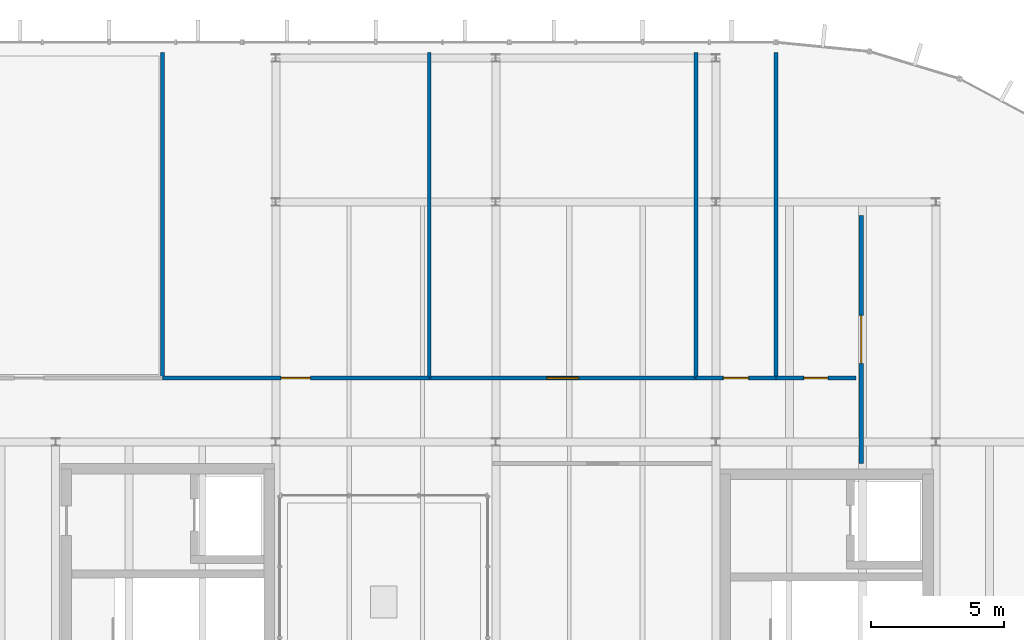
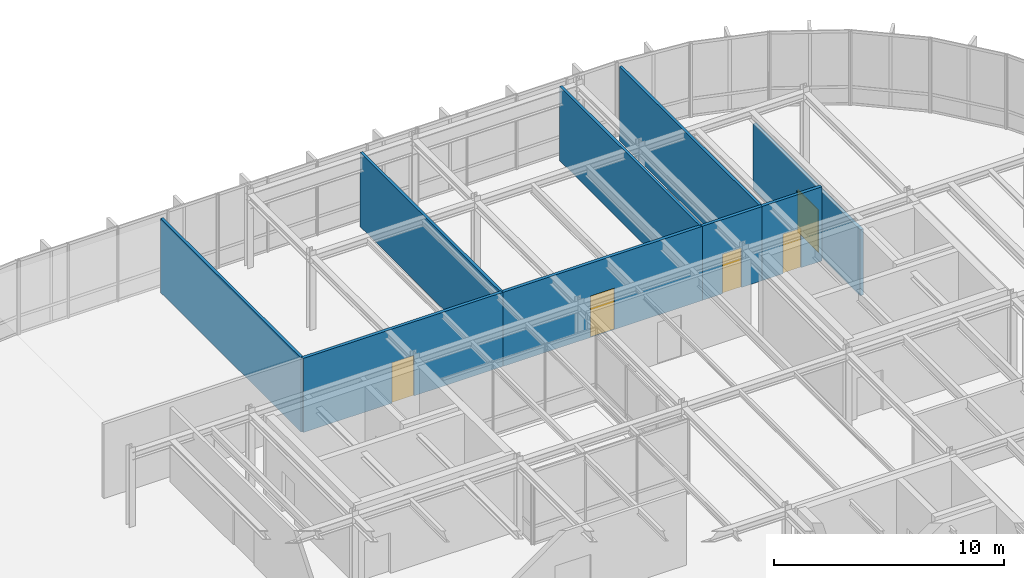
# One storey, part 20 of 21: 9 walls, 5 doors, 5 openings.
"""IFC4 building model written with IfcOpenShell, lengths in metres."""

from ifc_helpers import new_model, si_unit, direction, frame, frame_2d, origin, place, context, subcontext, project, spatial, rectangle, extrude, material, layer, layer_set, type_object, element, fill, save


model = new_model("IFC4")

# Units and contexts
model_context = context("Model", 3, precision=1e-05, world=origin(), true_north=direction((0.0, 1.0)))
body_context = subcontext(model_context, "Body", "Model", "MODEL_VIEW")
ifc_project = project(units=[si_unit("LENGTHUNIT", "METRE"), si_unit("AREAUNIT", "SQUARE_METRE"), si_unit("VOLUMEUNIT", "CUBIC_METRE"), si_unit("PLANEANGLEUNIT", "RADIAN"), si_unit("MASSUNIT", "GRAM", prefix="KILO")], contexts=[model_context])

# Site, building, storey
site_placement = place(None, origin())
site = spatial("IfcSite", under=ifc_project, at=site_placement, CompositionType="ELEMENT")
building_placement = place(site_placement, origin())
building = spatial("IfcBuilding", under=site, at=building_placement, Name="Montealbar Specialist Clinic", CompositionType="ELEMENT")
storey_placement = place(building_placement, frame((0.0, 0.0, 26.39990234375)))
storey = spatial("IfcBuildingStorey", under=building, at=storey_placement, Name="L06", CompositionType="ELEMENT", Elevation=26.39990234375)

# Walls
ifc_material_1 = material(Name="Gypsum acoustic partition", Category="gypsum")
ifc_layer_1 = layer(ifc_material_1, 0.139892578125, Name="Gypsum acoustic partition", Category="gypsum")
ifc_layer_set_1 = layer_set([ifc_layer_1], Name="Gypsum acoustic partition")
wall_type_1 = type_object("IfcWallType", Name="WL-PART-ACOUSTIC-140", PredefinedType="PARTITIONING", material=ifc_layer_set_1)
for number, where, z_axis, x_axis, name in (
    (1, (70.0, 38.39990234375, 0.0), (0.0, 0.0, 1.0), (0.0, 1.0, 0.0), "Clinical Partition PART-L06-0245"),
    (2, (80.0, 38.39990234375, 0.0), (0.0, 0.0, 1.0), (0.0, 1.0, 0.0), "Clinical Partition PART-L06-0247"),
    (3, (90.0, 38.39990234375, 0.0), (0.0, 0.0, 1.0), (0.0, 1.0, 0.0), "Clinical Partition PART-L06-0249"),
    (4, (93.0, 38.39990234375, 0.0), (0.0, 0.0, 1.0), (0.0, 1.0, 0.0), "Clinical Partition PART-L06-0251"),
):
    element("IfcWall", number, at=place(storey_placement, frame(where, z_axis=z_axis, x_axis=x_axis)), inside=storey, type_object=wall_type_1, Name=name, PredefinedType="PARTITIONING", context=body_context, shape_type="SweptSolid", body=[
        extrude(rectangle(XDim=12.2001953125, YDim=0.139892578125, at=frame_2d((6.10009765625, 0.0))), origin(), (0.0, 0.0, 1.0), 3.93017578125),
    ])

# Wall, opening, door
ifc_layer_2 = layer(ifc_material_1, 0.159912109375, Name="Gypsum acoustic partition", Category="gypsum")
ifc_layer_set_2 = layer_set([ifc_layer_2], Name="Gypsum acoustic partition")
wall_type_2 = type_object("IfcWallType", Name="WL-PART-CLINIC-160", PredefinedType="PARTITIONING", material=ifc_layer_set_2)
wall_1_placement = place(storey_placement, frame((70.0, 38.39990234375, 0.0), z_axis=(0.0, 0.0, 1.0), x_axis=(1.0, 0.0, 0.0)))
wall_1 = element("IfcWall", 5, at=wall_1_placement, inside=storey, type_object=wall_type_2, Name="Clinical Partition PART-L06-0246", PredefinedType="PARTITIONING", context=body_context, shape_type="SweptSolid", body=[
    extrude(rectangle(XDim=10.0, YDim=0.159912109375, at=frame_2d((5.0, 0.0))), origin(), (0.0, 0.0, 1.0), 3.93017578125),
])
opening_1_placement = place(wall_1_placement, frame((4.449951171875, 0.0, 0.0)))
opening_1 = element("IfcOpeningElement", 6, at=opening_1_placement, cuts=wall_1, Name="Opening ID-110", PredefinedType="OPENING", context=body_context, shape_type="SweptSolid", body=[
    extrude(rectangle(XDim=1.10009765625, YDim=2.14990234375, at=frame_2d((0.550048828125, 1.074951171875))), frame((0.0, 0.08984375, 0.0), z_axis=(0.0, -1.0, 0.0), x_axis=(1.0, 0.0, 0.0)), (0.0, 0.0, 1.0), 0.179931640625),
])
ifc_material_2 = material(Name="Acoustic timber leaf", Category="wood")
door_type_1 = type_object("IfcDoorType", Name="DR-CLIN-W1100", OperationType="NOTDEFINED", PredefinedType="DOOR", material=ifc_material_2)
door_1_placement = place(opening_1_placement, frame((1.10009765625, 0.0, 0.0), z_axis=(0.0, 0.0, 1.0), x_axis=(-1.0, 0.0, 0.0)))
door_1 = element("IfcDoor", 7, at=door_1_placement, inside=storey, type_object=door_type_1, Name="Clinical Room Door IDR-L06-0159", OperationType="SINGLE_SWING_LEFT", OverallHeight=2.14990234375, OverallWidth=1.10009765625, PredefinedType="DOOR", context=body_context, shape_type="SweptSolid", body=[
    extrude(rectangle(XDim=1.10009765625, YDim=2.14990234375, at=frame_2d((0.550048828125, 1.074951171875))), frame((0.0, 0.02490234375, 0.0), z_axis=(0.0, -1.0, 0.0), x_axis=(1.0, 0.0, 0.0)), (0.0, 0.0, 1.0), 0.050048828125),
])
fill(opening_1, door_1)

wall_2_placement = place(storey_placement, frame((80.0, 38.39990234375, 0.0), z_axis=(0.0, 0.0, 1.0), x_axis=(1.0, 0.0, 0.0)))
wall_2 = element("IfcWall", 8, at=wall_2_placement, inside=storey, type_object=wall_type_2, Name="Clinical Partition PART-L06-0248", PredefinedType="PARTITIONING", context=body_context, shape_type="SweptSolid", body=[
    extrude(rectangle(XDim=10.0, YDim=0.159912109375, at=frame_2d((5.0, 0.0))), origin(), (0.0, 0.0, 1.0), 3.93017578125),
])
opening_2_placement = place(wall_2_placement, frame((4.39990234375, 0.0, 0.0)))
opening_2 = element("IfcOpeningElement", 9, at=opening_2_placement, cuts=wall_2, Name="Opening ID-120", PredefinedType="OPENING", context=body_context, shape_type="SweptSolid", body=[
    extrude(rectangle(XDim=1.199951171875, YDim=2.199951171875, at=frame_2d((0.60009765625, 1.10009765625))), frame((0.0, 0.08984375, 0.0), z_axis=(0.0, -1.0, 0.0), x_axis=(1.0, 0.0, 0.0)), (0.0, 0.0, 1.0), 0.179931640625),
])
door_type_2 = type_object("IfcDoorType", Name="DR-CLIN-W1200", OperationType="NOTDEFINED", PredefinedType="DOOR", material=ifc_material_2)
door_2_placement = place(opening_2_placement, frame((1.199951171875, 0.0, 0.0), z_axis=(0.0, 0.0, 1.0), x_axis=(-1.0, 0.0, 0.0)))
door_2 = element("IfcDoor", 10, at=door_2_placement, inside=storey, type_object=door_type_2, Name="Clinical Room Door IDR-L06-0160", OperationType="SINGLE_SWING_RIGHT", OverallHeight=2.199951171875, OverallWidth=1.199951171875, PredefinedType="DOOR", context=body_context, shape_type="SweptSolid", body=[
    extrude(rectangle(XDim=1.199951171875, YDim=2.199951171875, at=frame_2d((0.60009765625, 1.10009765625))), frame((0.0, 0.02490234375, 0.0), z_axis=(0.0, -1.0, 0.0), x_axis=(1.0, 0.0, 0.0)), (0.0, 0.0, 1.0), 0.050048828125),
])
fill(opening_2, door_2)

wall_3_placement = place(storey_placement, frame((90.0, 38.39990234375, 0.0), z_axis=(0.0, 0.0, 1.0), x_axis=(1.0, 0.0, 0.0)))
wall_3 = element("IfcWall", 11, at=wall_3_placement, inside=storey, type_object=wall_type_2, Name="Clinical Partition PART-L06-0250", PredefinedType="PARTITIONING", context=body_context, shape_type="SweptSolid", body=[
    extrude(rectangle(XDim=3.0, YDim=0.159912109375, at=frame_2d((1.5, 0.0))), origin(), (0.0, 0.0, 1.0), 3.93017578125),
])
opening_3_placement = place(wall_3_placement, frame((1.02490234375, 0.0, 0.0)))
opening_3 = element("IfcOpeningElement", 12, at=opening_3_placement, cuts=wall_3, Name="Opening ID-095", PredefinedType="OPENING", context=body_context, shape_type="SweptSolid", body=[
    extrude(rectangle(XDim=0.949951171875, YDim=2.10009765625, at=frame_2d((0.47509765625, 1.050048828125))), frame((0.0, 0.08984375, 0.0), z_axis=(0.0, -1.0, 0.0), x_axis=(1.0, 0.0, 0.0)), (0.0, 0.0, 1.0), 0.179931640625),
])
door_type_3 = type_object("IfcDoorType", Name="DR-WC-W0950", OperationType="NOTDEFINED", PredefinedType="DOOR", material=ifc_material_2)
door_3_placement = place(opening_3_placement, frame((0.949951171875, 0.0, 0.0), z_axis=(0.0, 0.0, 1.0), x_axis=(-1.0, 0.0, 0.0)))
door_3 = element("IfcDoor", 13, at=door_3_placement, inside=storey, type_object=door_type_3, Name="Clinical Room Door IDR-L06-0161", OperationType="SINGLE_SWING_LEFT", OverallHeight=2.10009765625, OverallWidth=0.949951171875, PredefinedType="DOOR", context=body_context, shape_type="SweptSolid", body=[
    extrude(rectangle(XDim=0.949951171875, YDim=2.10009765625, at=frame_2d((0.47509765625, 1.050048828125))), frame((0.0, 0.02490234375, 0.0), z_axis=(0.0, -1.0, 0.0), x_axis=(1.0, 0.0, 0.0)), (0.0, 0.0, 1.0), 0.050048828125),
])
fill(opening_3, door_3)

wall_4_placement = place(storey_placement, frame((93.0, 38.39990234375, 0.0), z_axis=(0.0, 0.0, 1.0), x_axis=(1.0, 0.0, 0.0)))
wall_4 = element("IfcWall", 14, at=wall_4_placement, inside=storey, type_object=wall_type_2, Name="Clinical Partition PART-L06-0252", PredefinedType="PARTITIONING", context=body_context, shape_type="SweptSolid", body=[
    extrude(rectangle(XDim=3.0, YDim=0.159912109375, at=frame_2d((1.5, 0.0))), origin(), (0.0, 0.0, 1.0), 3.93017578125),
])
opening_4_placement = place(wall_4_placement, frame((1.050048828125, 0.0, 0.0)))
opening_4 = element("IfcOpeningElement", 15, at=opening_4_placement, cuts=wall_4, Name="Opening ID-090", PredefinedType="OPENING", context=body_context, shape_type="SweptSolid", body=[
    extrude(rectangle(XDim=0.89990234375, YDim=2.10009765625, at=frame_2d((0.449951171875, 1.050048828125))), frame((0.0, 0.08984375, 0.0), z_axis=(0.0, -1.0, 0.0), x_axis=(1.0, 0.0, 0.0)), (0.0, 0.0, 1.0), 0.179931640625),
])
door_type_4 = type_object("IfcDoorType", Name="DR-WC-W0900", OperationType="NOTDEFINED", PredefinedType="DOOR", material=ifc_material_2)
door_4_placement = place(opening_4_placement, frame((0.89990234375, 0.0, 0.0), z_axis=(0.0, 0.0, 1.0), x_axis=(-1.0, 0.0, 0.0)))
door_4 = element("IfcDoor", 16, at=door_4_placement, inside=storey, type_object=door_type_4, Name="Clinical Room Door IDR-L06-0162", OperationType="SINGLE_SWING_RIGHT", OverallHeight=2.10009765625, OverallWidth=0.89990234375, PredefinedType="DOOR", context=body_context, shape_type="SweptSolid", body=[
    extrude(rectangle(XDim=0.89990234375, YDim=2.10009765625, at=frame_2d((0.449951171875, 1.050048828125))), frame((0.0, 0.02490234375, 0.0), z_axis=(0.0, -1.0, 0.0), x_axis=(1.0, 0.0, 0.0)), (0.0, 0.0, 1.0), 0.050048828125),
])
fill(opening_4, door_4)

wall_5_placement = place(storey_placement, frame((96.199951171875, 35.199951171875, 0.0), z_axis=(0.0, 0.0, 1.0), x_axis=(0.0, 1.0, 0.0)))
wall_5 = element("IfcWall", 17, at=wall_5_placement, inside=storey, type_object=wall_type_2, Name="Clinical Partition PART-L06-0282", PredefinedType="PARTITIONING", context=body_context, shape_type="SweptSolid", body=[
    extrude(rectangle(XDim=9.300048828125, YDim=0.159912109375, at=frame_2d((4.64990234375, 0.0))), origin(), (0.0, 0.0, 1.0), 3.489990234375),
])
opening_5_placement = place(wall_5_placement, frame((3.75, 0.0, 0.0)))
opening_5 = element("IfcOpeningElement", 18, at=opening_5_placement, cuts=wall_5, Name="Opening ID-180", PredefinedType="OPENING", context=body_context, shape_type="SweptSolid", body=[
    extrude(rectangle(XDim=1.800048828125, YDim=2.25, at=frame_2d((0.89990234375, 1.125))), frame((0.0, 0.08984375, 0.0), z_axis=(0.0, -1.0, 0.0), x_axis=(1.0, 0.0, 0.0)), (0.0, 0.0, 1.0), 0.179931640625),
])
door_type_5 = type_object("IfcDoorType", Name="DR-DBL-W1800", OperationType="DOUBLE_DOOR_SINGLE_SWING", PredefinedType="DOOR", material=ifc_material_2)
door_5_placement = place(opening_5_placement, origin())
door_5 = element("IfcDoor", 19, at=door_5_placement, inside=storey, type_object=door_type_5, Name="Clinical Room Door IDR-L06-0184", OperationType="DOUBLE_DOOR_SINGLE_SWING", OverallHeight=2.25, OverallWidth=1.800048828125, PredefinedType="DOOR", context=body_context, shape_type="SweptSolid", body=[
    extrude(rectangle(XDim=1.800048828125, YDim=2.25, at=frame_2d((0.89990234375, 1.125))), frame((0.0, 0.02490234375, 0.0), z_axis=(0.0, -1.0, 0.0), x_axis=(1.0, 0.0, 0.0)), (0.0, 0.0, 1.0), 0.050048828125),
])
fill(opening_5, door_5)

save(model, "model.ifc")
